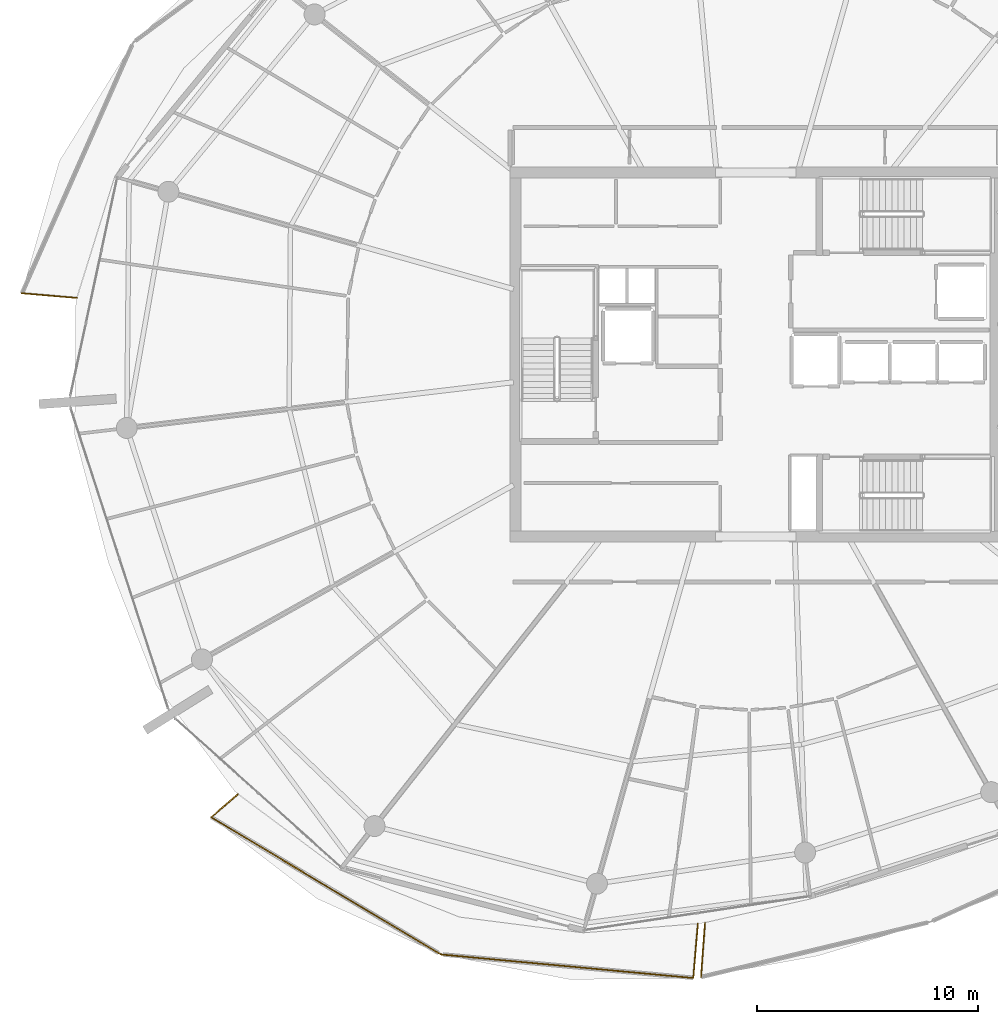
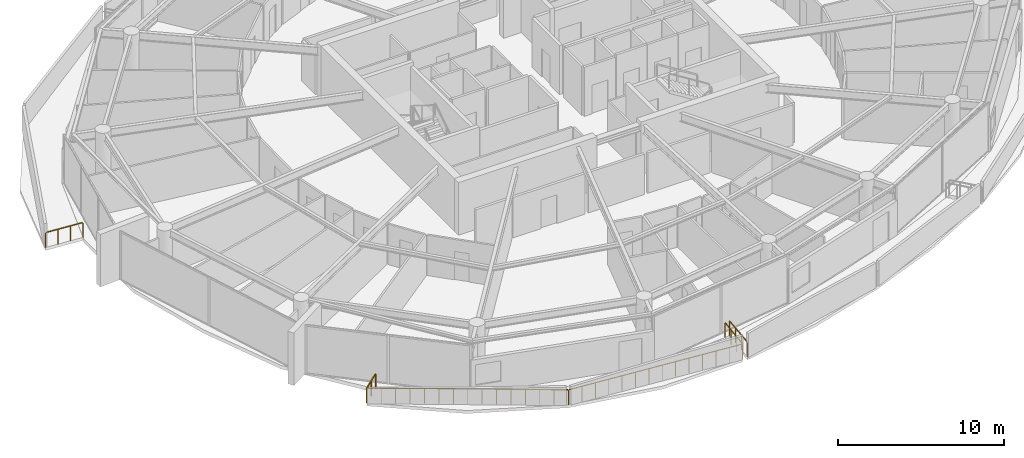
# One storey, part 24 of 30: 6 railings.
"""IFC4 building model written with IfcOpenShell, lengths in metres."""

from ifc_helpers import new_model, si_unit, direction, frame, origin, origin_2d, place, context, subcontext, project, spatial, rectangle, extrude, material, type_object, element, save


model = new_model("IFC4")

# Units and contexts
model_context = context("Model", 3, precision=1e-05, world=origin(), true_north=direction((0.0, 1.0)))
body_context = subcontext(model_context, "Body", "Model", "MODEL_VIEW")
ifc_project = project(units=[si_unit("LENGTHUNIT", "METRE"), si_unit("AREAUNIT", "SQUARE_METRE"), si_unit("VOLUMEUNIT", "CUBIC_METRE"), si_unit("PLANEANGLEUNIT", "RADIAN"), si_unit("MASSUNIT", "GRAM", prefix="KILO")], contexts=[model_context])

# Site, building, storey
site_placement = place(None, origin())
site = spatial("IfcSite", under=ifc_project, at=site_placement, CompositionType="ELEMENT")
building_placement = place(site_placement, origin())
building = spatial("IfcBuilding", under=site, at=building_placement, Name="Kazma Halo Residences", CompositionType="ELEMENT")
storey_placement = place(building_placement, frame((0.0, 0.0, 294.449951171875)))
storey = spatial("IfcBuildingStorey", under=building, at=storey_placement, Name="L74", CompositionType="ELEMENT", Elevation=294.449951171875)

# Railings
ifc_material = material(Name="Aluminium AW-6063 T6 Brushed Cap Rail", Category="aluminium")
railing_type = type_object("IfcRailingType", Name="RLG-BAL-CAP-1120", PredefinedType="BALUSTRADE", material=ifc_material)
railing_1_placement = place(storey_placement, frame((15.16357421875, 44.7861328125, 0.0)))
element("IfcRailing", 1, at=railing_1_placement, inside=storey, type_object=railing_type, Name="L74 NW wave balcony guard 4", PredefinedType="BALUSTRADE", context=body_context, shape_type="SweptSolid", body=[
    extrude(rectangle(XDim=0.050048828125, YDim=0.050048828125, at=origin_2d()), frame((0.04248046875, -0.003662109375, 1.09521484375), z_axis=(0.996420486685, -0.084535280881, 0.0), x_axis=(0.084535280881, 0.996420486685, 0.0)), (0.0, 0.0, 1.0), 2.41015625),
    extrude(rectangle(XDim=0.0400390625, YDim=0.0400390625, at=origin_2d()), origin(), (0.0, 0.0, 1.0), 1.05810546875),
    extrude(rectangle(XDim=0.0400390625, YDim=0.0400390625, at=origin_2d()), frame((0.828857421875, -0.0703125, 0.0)), (0.0, 0.0, 1.0), 1.05810546875),
    extrude(rectangle(XDim=0.0400390625, YDim=0.0400390625, at=origin_2d()), frame((1.657470703125, -0.140625, 0.0)), (0.0, 0.0, 1.0), 1.05810546875),
    extrude(rectangle(XDim=0.0400390625, YDim=0.0400390625, at=origin_2d()), frame((2.486328125, -0.2109375, 0.0)), (0.0, 0.0, 1.0), 1.05810546875),
])
railing_2_placement = place(storey_placement, frame((24.9599609375, 22.0771484375, 0.0)))
element("IfcRailing", 2, at=railing_2_placement, inside=storey, type_object=railing_type, Name="L74 SW wave balcony guard 1", PredefinedType="BALUSTRADE", context=body_context, shape_type="SweptSolid", body=[
    extrude(rectangle(XDim=0.050048828125, YDim=0.050048828125, at=origin_2d()), frame((-0.0322265625, -0.02783203125, 1.09521484375), z_axis=(-0.756483466275, -0.654012817346, 0.0), x_axis=(0.654012817346, -0.756483466275, 0.0)), (0.0, 0.0, 1.0), 1.515869140625),
    extrude(rectangle(XDim=0.0400390625, YDim=0.0400390625, at=origin_2d()), origin(), (0.0, 0.0, 1.0), 1.05810546875),
    extrude(rectangle(XDim=0.0400390625, YDim=0.0400390625, at=origin_2d()), frame((-0.60546875, -0.5234375, 0.0)), (0.0, 0.0, 1.0), 1.05810546875),
    extrude(rectangle(XDim=0.0400390625, YDim=0.0400390625, at=origin_2d()), frame((-1.211181640625, -1.047119140625, 0.0)), (0.0, 0.0, 1.0), 1.05810546875),
])
railing_3_placement = place(storey_placement, frame((23.748779296875, 21.030029296875, 0.0)))
element("IfcRailing", 3, at=railing_3_placement, inside=storey, type_object=railing_type, Name="L74 SW wave balcony guard 2", PredefinedType="BALUSTRADE", context=body_context, shape_type="SweptSolid", body=[
    extrude(rectangle(XDim=0.050048828125, YDim=0.050048828125, at=origin_2d()), frame((0.03662109375, -0.021728515625, 1.09521484375), z_axis=(0.858276045077, -0.513188299211, 0.0), x_axis=(0.513188299211, 0.858276045077, 0.0)), (0.0, 0.0, 1.0), 12.030517578125),
    extrude(rectangle(XDim=0.0400390625, YDim=0.0400390625, at=origin_2d()), origin(), (0.0, 0.0, 1.0), 1.05810546875),
    extrude(rectangle(XDim=0.0400390625, YDim=0.0400390625, at=origin_2d()), frame((0.74267578125, -0.444091796875, 0.0)), (0.0, 0.0, 1.0), 1.05810546875),
    extrude(rectangle(XDim=0.0400390625, YDim=0.0400390625, at=origin_2d()), frame((1.485595703125, -0.88818359375, 0.0)), (0.0, 0.0, 1.0), 1.05810546875),
    extrude(rectangle(XDim=0.0400390625, YDim=0.0400390625, at=origin_2d()), frame((2.228271484375, -1.332275390625, 0.0)), (0.0, 0.0, 1.0), 1.05810546875),
    extrude(rectangle(XDim=0.0400390625, YDim=0.0400390625, at=origin_2d()), frame((2.970947265625, -1.7763671875, 0.0)), (0.0, 0.0, 1.0), 1.05810546875),
    extrude(rectangle(XDim=0.0400390625, YDim=0.0400390625, at=origin_2d()), frame((3.713623046875, -2.220458984375, 0.0)), (0.0, 0.0, 1.0), 1.05810546875),
    extrude(rectangle(XDim=0.0400390625, YDim=0.0400390625, at=origin_2d()), frame((4.45654296875, -2.66455078125, 0.0)), (0.0, 0.0, 1.0), 1.05810546875),
    extrude(rectangle(XDim=0.0400390625, YDim=0.0400390625, at=origin_2d()), frame((5.19921875, -3.10888671875, 0.0)), (0.0, 0.0, 1.0), 1.05810546875),
    extrude(rectangle(XDim=0.0400390625, YDim=0.0400390625, at=origin_2d()), frame((5.94189453125, -3.552978515625, 0.0)), (0.0, 0.0, 1.0), 1.05810546875),
    extrude(rectangle(XDim=0.0400390625, YDim=0.0400390625, at=origin_2d()), frame((6.684814453125, -3.9970703125, 0.0)), (0.0, 0.0, 1.0), 1.05810546875),
    extrude(rectangle(XDim=0.0400390625, YDim=0.0400390625, at=origin_2d()), frame((7.427490234375, -4.441162109375, 0.0)), (0.0, 0.0, 1.0), 1.05810546875),
    extrude(rectangle(XDim=0.0400390625, YDim=0.0400390625, at=origin_2d()), frame((8.170166015625, -4.88525390625, 0.0)), (0.0, 0.0, 1.0), 1.05810546875),
    extrude(rectangle(XDim=0.0400390625, YDim=0.0400390625, at=origin_2d()), frame((8.912841796875, -5.329345703125, 0.0)), (0.0, 0.0, 1.0), 1.05810546875),
    extrude(rectangle(XDim=0.0400390625, YDim=0.0400390625, at=origin_2d()), frame((9.65576171875, -5.7734375, 0.0)), (0.0, 0.0, 1.0), 1.05810546875),
    extrude(rectangle(XDim=0.0400390625, YDim=0.0400390625, at=origin_2d()), frame((10.3984375, -6.217529296875, 0.0)), (0.0, 0.0, 1.0), 1.05810546875),
])
railing_4_placement = place(storey_placement, frame((34.147216796875, 14.8125, 0.0)))
element("IfcRailing", 4, at=railing_4_placement, inside=storey, type_object=railing_type, Name="L74 SW wave balcony guard 3", PredefinedType="BALUSTRADE", context=body_context, shape_type="SweptSolid", body=[
    extrude(rectangle(XDim=0.050048828125, YDim=0.050048828125, at=origin_2d()), frame((0.042236328125, -0.00390625, 1.09521484375), z_axis=(0.995673088421, -0.092925244122, 0.0), x_axis=(0.092925244122, 0.995673088421, 0.0)), (0.0, 0.0, 1.0), 11.419677734375),
    extrude(rectangle(XDim=0.0400390625, YDim=0.0400390625, at=origin_2d()), origin(), (0.0, 0.0, 1.0), 1.05810546875),
    extrude(rectangle(XDim=0.0400390625, YDim=0.0400390625, at=origin_2d()), frame((0.881103515625, -0.082275390625, 0.0)), (0.0, 0.0, 1.0), 1.05810546875),
    extrude(rectangle(XDim=0.0400390625, YDim=0.0400390625, at=origin_2d()), frame((1.76220703125, -0.16455078125, 0.0)), (0.0, 0.0, 1.0), 1.05810546875),
    extrude(rectangle(XDim=0.0400390625, YDim=0.0400390625, at=origin_2d()), frame((2.6435546875, -0.246826171875, 0.0)), (0.0, 0.0, 1.0), 1.05810546875),
    extrude(rectangle(XDim=0.0400390625, YDim=0.0400390625, at=origin_2d()), frame((3.524658203125, -0.328857421875, 0.0)), (0.0, 0.0, 1.0), 1.05810546875),
    extrude(rectangle(XDim=0.0400390625, YDim=0.0400390625, at=origin_2d()), frame((4.40576171875, -0.4111328125, 0.0)), (0.0, 0.0, 1.0), 1.05810546875),
    extrude(rectangle(XDim=0.0400390625, YDim=0.0400390625, at=origin_2d()), frame((5.286865234375, -0.493408203125, 0.0)), (0.0, 0.0, 1.0), 1.05810546875),
    extrude(rectangle(XDim=0.0400390625, YDim=0.0400390625, at=origin_2d()), frame((6.168212890625, -0.57568359375, 0.0)), (0.0, 0.0, 1.0), 1.05810546875),
    extrude(rectangle(XDim=0.0400390625, YDim=0.0400390625, at=origin_2d()), frame((7.04931640625, -0.657958984375, 0.0)), (0.0, 0.0, 1.0), 1.05810546875),
    extrude(rectangle(XDim=0.0400390625, YDim=0.0400390625, at=origin_2d()), frame((7.930419921875, -0.740234375, 0.0)), (0.0, 0.0, 1.0), 1.05810546875),
    extrude(rectangle(XDim=0.0400390625, YDim=0.0400390625, at=origin_2d()), frame((8.8115234375, -0.822265625, 0.0)), (0.0, 0.0, 1.0), 1.05810546875),
    extrude(rectangle(XDim=0.0400390625, YDim=0.0400390625, at=origin_2d()), frame((9.69287109375, -0.904541015625, 0.0)), (0.0, 0.0, 1.0), 1.05810546875),
    extrude(rectangle(XDim=0.0400390625, YDim=0.0400390625, at=origin_2d()), frame((10.573974609375, -0.98681640625, 0.0)), (0.0, 0.0, 1.0), 1.05810546875),
    extrude(rectangle(XDim=0.0400390625, YDim=0.0400390625, at=origin_2d()), frame((11.455078125, -1.069091796875, 0.0)), (0.0, 0.0, 1.0), 1.05810546875),
])
railing_5_placement = place(storey_placement, frame((45.602294921875, 13.743408203125, 0.0)))
element("IfcRailing", 5, at=railing_5_placement, inside=storey, type_object=railing_type, Name="L74 SW wave balcony guard 4", PredefinedType="BALUSTRADE", context=body_context, shape_type="SweptSolid", body=[
    extrude(rectangle(XDim=0.050048828125, YDim=0.050048828125, at=origin_2d()), frame((0.003662109375, 0.04248046875, 1.09521484375), z_axis=(0.084566101323, 0.996417871431, 0.0), x_axis=(-0.996417871431, 0.084566101323, 0.0)), (0.0, 0.0, 1.0), 2.38623046875),
    extrude(rectangle(XDim=0.0400390625, YDim=0.0400390625, at=origin_2d()), origin(), (0.0, 0.0, 1.0), 1.05810546875),
    extrude(rectangle(XDim=0.0400390625, YDim=0.0400390625, at=origin_2d()), frame((0.069580078125, 0.82080078125, 0.0)), (0.0, 0.0, 1.0), 1.05810546875),
    extrude(rectangle(XDim=0.0400390625, YDim=0.0400390625, at=origin_2d()), frame((0.139404296875, 1.6416015625, 0.0)), (0.0, 0.0, 1.0), 1.05810546875),
    extrude(rectangle(XDim=0.0400390625, YDim=0.0400390625, at=origin_2d()), frame((0.208984375, 2.46240234375, 0.0)), (0.0, 0.0, 1.0), 1.05810546875),
])
railing_6_placement = place(storey_placement, frame((46.1318359375, 16.25390625, 0.0)))
element("IfcRailing", 6, at=railing_6_placement, inside=storey, type_object=railing_type, Name="L74 SSE wave balcony guard 1", PredefinedType="BALUSTRADE", context=body_context, shape_type="SweptSolid", body=[
    extrude(rectangle(XDim=0.050048828125, YDim=0.050048828125, at=origin_2d()), frame((-0.003173828125, -0.04248046875, 1.09521484375), z_axis=(-0.072359420263, -0.997378621337, 0.0), x_axis=(0.997378621337, -0.072359420263, 0.0)), (0.0, 0.0, 1.0), 2.394775390625),
    extrude(rectangle(XDim=0.0400390625, YDim=0.0400390625, at=origin_2d()), origin(), (0.0, 0.0, 1.0), 1.05810546875),
    extrude(rectangle(XDim=0.0400390625, YDim=0.0400390625, at=origin_2d()), frame((-0.059814453125, -0.824462890625, 0.0)), (0.0, 0.0, 1.0), 1.05810546875),
    extrude(rectangle(XDim=0.0400390625, YDim=0.0400390625, at=origin_2d()), frame((-0.11962890625, -1.64892578125, 0.0)), (0.0, 0.0, 1.0), 1.05810546875),
    extrude(rectangle(XDim=0.0400390625, YDim=0.0400390625, at=origin_2d()), frame((-0.179443359375, -2.473388671875, 0.0)), (0.0, 0.0, 1.0), 1.05810546875),
])

save(model, "model.ifc")
